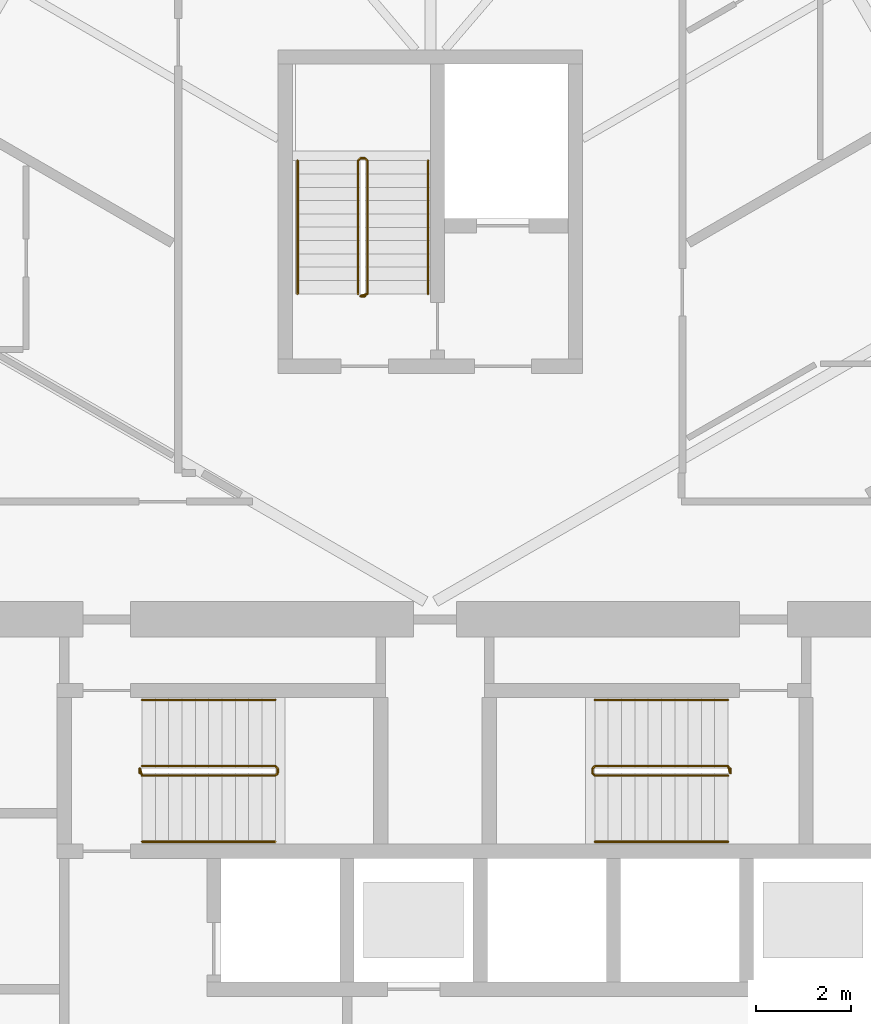
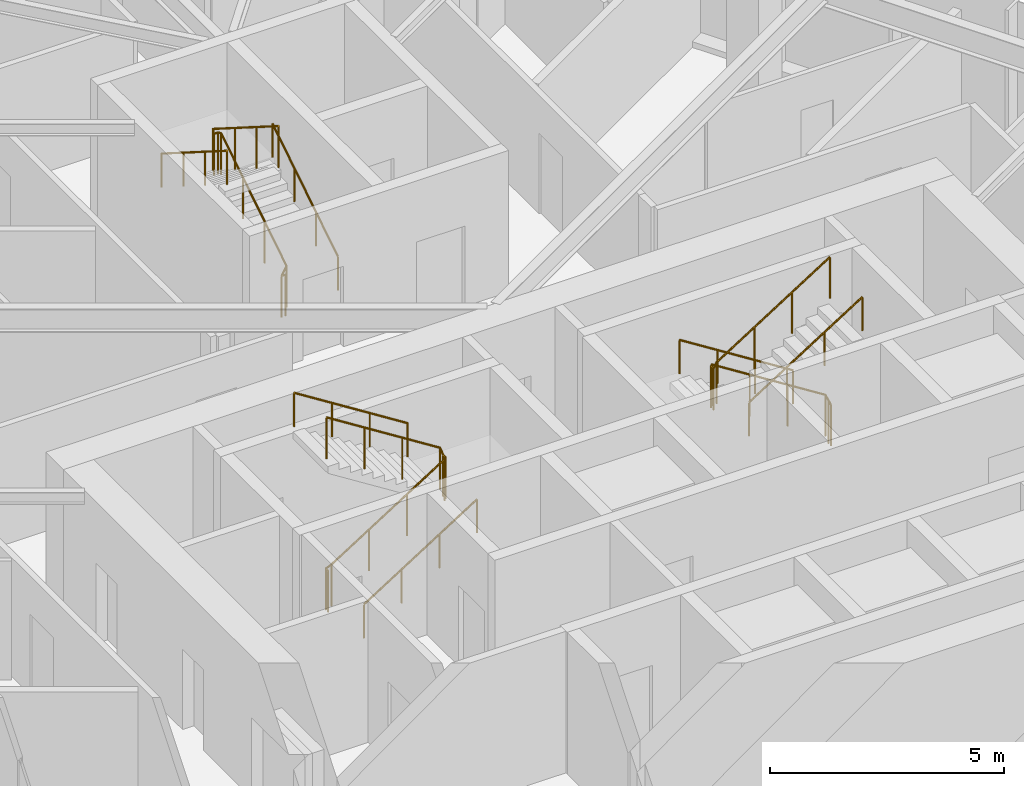
# One storey, part 15 of 16: 9 railings.
"""IFC4 building model written with IfcOpenShell, lengths in metres."""

from ifc_helpers import new_model, si_unit, direction, frame, origin, origin_2d, place, context, subcontext, project, spatial, circle, extrude, material, type_object, element, save


model = new_model("IFC4")

# Units and contexts
model_context = context("Model", 3, precision=1e-05, world=origin(), true_north=direction((0.0, 1.0)))
body_context = subcontext(model_context, "Body", "Model", "MODEL_VIEW")
ifc_project = project(units=[si_unit("LENGTHUNIT", "METRE"), si_unit("AREAUNIT", "SQUARE_METRE"), si_unit("VOLUMEUNIT", "CUBIC_METRE"), si_unit("PLANEANGLEUNIT", "RADIAN"), si_unit("MASSUNIT", "GRAM", prefix="KILO")], contexts=[model_context])

# Site, building, storey
site_placement = place(None, origin())
site = spatial("IfcSite", under=ifc_project, at=site_placement, CompositionType="ELEMENT")
building_placement = place(site_placement, origin())
building = spatial("IfcBuilding", under=site, at=building_placement, Name="Firuza Gate Tower and Library", CompositionType="ELEMENT")
storey_placement = place(building_placement, frame((0.0, 0.0, 198.699951171875)))
storey = spatial("IfcBuildingStorey", under=building, at=storey_placement, Name="L46", CompositionType="ELEMENT", Elevation=198.699951171875)

# Railings
ifc_material_1 = material(Name="Steel S355", Category="steel")
railing_type_1 = type_object("IfcRailingType", Name="Stair guard 1100", PredefinedType="GUARDRAIL", material=ifc_material_1)
railing_1_placement = place(storey_placement, frame((68.889892578125, 79.389892578125, 0.0)))
element("IfcRailing", 1, at=railing_1_placement, inside=storey, type_object=railing_type_1, Name="L46 ST1 stair guard 1", PredefinedType="GUARDRAIL", context=body_context, shape_type="SweptSolid", body=[
    extrude(circle(Radius=0.02392578125, at=origin_2d()), frame((0.0, 0.0, 1.076171875), z_axis=(0.0, 1.0, 0.0), x_axis=(-1.0, 0.0, 0.0)), (0.0, 0.0, 1.0), 0.10009765625),
    extrude(circle(Radius=0.02392578125, at=origin_2d()), frame((0.0, 0.10009765625, 1.076171875), z_axis=(0.210758951027, -0.631248760638, 0.74639511437), x_axis=(0.948528701346, 0.316691178788, 0.0)), (0.0, 0.0, 1.0), 0.237548828125),
    extrude(circle(Radius=0.02392578125, at=origin_2d()), frame((0.050048828125, -0.0498046875, 1.25341796875), z_axis=(0.844908973607, 0.0, 0.534910110503), x_axis=(0.0, 1.0, 0.0)), (0.0, 0.0, 1.0), 3.31396484375),
    extrude(circle(Radius=0.02392578125, at=origin_2d()), frame((2.85009765625, -0.0498046875, 3.02587890625), z_axis=(0.708833529934, 0.705375805398, 0.0), x_axis=(-0.705375805398, 0.708833529934, 0.0)), (0.0, 0.0, 1.0), 0.070556640625),
    extrude(circle(Radius=0.02392578125, at=origin_2d()), frame((2.900146484375, 0.0, 3.02587890625), z_axis=(0.0, 1.0, 0.0), x_axis=(-1.0, 0.0, 0.0)), (0.0, 0.0, 1.0), 0.10009765625),
    extrude(circle(Radius=0.02392578125, at=origin_2d()), frame((2.900146484375, 0.10009765625, 3.02587890625), z_axis=(-0.261922500866, 0.261922500866, 0.928866625022), x_axis=(-0.707106781187, -0.707106781187, 0.0)), (0.0, 0.0, 1.0), 0.191162109375),
    extrude(circle(Radius=0.02392578125, at=origin_2d()), frame((2.85009765625, 0.150146484375, 3.20361328125), z_axis=(-0.844908973607, 0.0, 0.534910110503), x_axis=(0.0, -1.0, 0.0)), (0.0, 0.0, 1.0), 3.31396484375),
    extrude(circle(Radius=0.02099609375, at=origin_2d()), origin(), (0.0, 0.0, 1.0), 1.052001953125),
    extrude(circle(Radius=0.02099609375, at=origin_2d()), frame((0.0, 0.10009765625, 0.0)), (0.0, 0.0, 1.0), 1.052001953125),
    extrude(circle(Radius=0.02099609375, at=origin_2d()), frame((0.050048828125, -0.0498046875, 0.17724609375)), (0.0, 0.0, 1.0), 1.052001953125),
    extrude(circle(Radius=0.02099609375, at=origin_2d()), frame((0.9833984375, -0.0498046875, 0.76806640625)), (0.0, 0.0, 1.0), 1.052001953125),
    extrude(circle(Radius=0.02099609375, at=origin_2d()), frame((1.916748046875, -0.0498046875, 1.359130859375)), (0.0, 0.0, 1.0), 1.052001953125),
    extrude(circle(Radius=0.02099609375, at=origin_2d()), frame((2.85009765625, -0.0498046875, 1.949951171875)), (0.0, 0.0, 1.0), 1.052001953125),
    extrude(circle(Radius=0.02099609375, at=origin_2d()), frame((2.900146484375, 0.0, 1.949951171875)), (0.0, 0.0, 1.0), 1.052001953125),
    extrude(circle(Radius=0.02099609375, at=origin_2d()), frame((2.900146484375, 0.10009765625, 1.949951171875)), (0.0, 0.0, 1.0), 1.052001953125),
    extrude(circle(Radius=0.02099609375, at=origin_2d()), frame((2.85009765625, 0.150146484375, 2.12744140625)), (0.0, 0.0, 1.0), 1.052001953125),
    extrude(circle(Radius=0.02099609375, at=origin_2d()), frame((1.916748046875, 0.150146484375, 2.71826171875)), (0.0, 0.0, 1.0), 1.052001953125),
    extrude(circle(Radius=0.02099609375, at=origin_2d()), frame((0.9833984375, 0.150146484375, 3.309326171875)), (0.0, 0.0, 1.0), 1.052001953125),
    extrude(circle(Radius=0.02099609375, at=origin_2d()), frame((0.050048828125, 0.150146484375, 3.900146484375)), (0.0, 0.0, 1.0), 1.052001953125),
])
railing_2_placement = place(storey_placement, frame((81.31005859375, 79.489990234375, 0.0)))
element("IfcRailing", 2, at=railing_2_placement, inside=storey, type_object=railing_type_1, Name="L46 ST2 stair guard 1", PredefinedType="GUARDRAIL", context=body_context, shape_type="SweptSolid", body=[
    extrude(circle(Radius=0.02392578125, at=origin_2d()), frame((0.0, 0.0, 1.076171875), z_axis=(0.0, -1.0, 0.0), x_axis=(1.0, 0.0, 0.0)), (0.0, 0.0, 1.0), 0.10009765625),
    extrude(circle(Radius=0.02392578125, at=origin_2d()), frame((0.0, -0.10009765625, 1.076171875), z_axis=(-0.210622194084, 0.631866582253, 0.74591079466), x_axis=(-0.948683298051, -0.316227766017, 0.0)), (0.0, 0.0, 1.0), 0.237548828125),
    extrude(circle(Radius=0.02392578125, at=origin_2d()), frame((-0.050048828125, 0.050048828125, 1.25341796875), z_axis=(-0.844908973607, 0.0, 0.534910110503), x_axis=(0.0, -1.0, 0.0)), (0.0, 0.0, 1.0), 3.31396484375),
    extrude(circle(Radius=0.02392578125, at=origin_2d()), frame((-2.85009765625, 0.050048828125, 3.02587890625), z_axis=(-0.707106781187, -0.707106781187, 0.0), x_axis=(0.707106781187, -0.707106781187, 0.0)), (0.0, 0.0, 1.0), 0.07080078125),
    extrude(circle(Radius=0.02392578125, at=origin_2d()), frame((-2.900146484375, 0.0, 3.02587890625), z_axis=(0.0, -1.0, 0.0), x_axis=(1.0, 0.0, 0.0)), (0.0, 0.0, 1.0), 0.10009765625),
    extrude(circle(Radius=0.02392578125, at=origin_2d()), frame((-2.900146484375, -0.10009765625, 3.02587890625), z_axis=(0.262009983441, -0.260731885961, 0.929176868105), x_axis=(0.705375805398, 0.708833529934, 0.0)), (0.0, 0.0, 1.0), 0.19091796875),
    extrude(circle(Radius=0.02392578125, at=origin_2d()), frame((-2.85009765625, -0.14990234375, 3.20361328125), z_axis=(0.844908973607, 0.0, 0.534910110503), x_axis=(0.0, 1.0, 0.0)), (0.0, 0.0, 1.0), 3.31396484375),
    extrude(circle(Radius=0.02099609375, at=origin_2d()), origin(), (0.0, 0.0, 1.0), 1.052001953125),
    extrude(circle(Radius=0.02099609375, at=origin_2d()), frame((0.0, -0.10009765625, 0.0)), (0.0, 0.0, 1.0), 1.052001953125),
    extrude(circle(Radius=0.02099609375, at=origin_2d()), frame((-0.050048828125, 0.050048828125, 0.17724609375)), (0.0, 0.0, 1.0), 1.052001953125),
    extrude(circle(Radius=0.02099609375, at=origin_2d()), frame((-0.9833984375, 0.050048828125, 0.76806640625)), (0.0, 0.0, 1.0), 1.052001953125),
    extrude(circle(Radius=0.02099609375, at=origin_2d()), frame((-1.916748046875, 0.050048828125, 1.359130859375)), (0.0, 0.0, 1.0), 1.052001953125),
    extrude(circle(Radius=0.02099609375, at=origin_2d()), frame((-2.85009765625, 0.050048828125, 1.949951171875)), (0.0, 0.0, 1.0), 1.052001953125),
    extrude(circle(Radius=0.02099609375, at=origin_2d()), frame((-2.900146484375, 0.0, 1.949951171875)), (0.0, 0.0, 1.0), 1.052001953125),
    extrude(circle(Radius=0.02099609375, at=origin_2d()), frame((-2.900146484375, -0.10009765625, 1.949951171875)), (0.0, 0.0, 1.0), 1.052001953125),
    extrude(circle(Radius=0.02099609375, at=origin_2d()), frame((-2.85009765625, -0.14990234375, 2.12744140625)), (0.0, 0.0, 1.0), 1.052001953125),
    extrude(circle(Radius=0.02099609375, at=origin_2d()), frame((-1.916748046875, -0.14990234375, 2.71826171875)), (0.0, 0.0, 1.0), 1.052001953125),
    extrude(circle(Radius=0.02099609375, at=origin_2d()), frame((-0.9833984375, -0.14990234375, 3.309326171875)), (0.0, 0.0, 1.0), 1.052001953125),
    extrude(circle(Radius=0.02099609375, at=origin_2d()), frame((-0.050048828125, -0.14990234375, 3.900146484375)), (0.0, 0.0, 1.0), 1.052001953125),
])
railing_3_placement = place(storey_placement, frame((73.6298828125, 89.419921875, 0.0)))
element("IfcRailing", 3, at=railing_3_placement, inside=storey, type_object=railing_type_1, Name="L46 ST3 stair guard 1", PredefinedType="GUARDRAIL", context=body_context, shape_type="SweptSolid", body=[
    extrude(circle(Radius=0.02392578125, at=origin_2d()), frame((0.0, 0.0, 1.076171875), z_axis=(-1.0, 0.0, 0.0), x_axis=(0.0, -1.0, 0.0)), (0.0, 0.0, 1.0), 0.099853515625),
    extrude(circle(Radius=0.02392578125, at=origin_2d()), frame((-0.099853515625, 0.0, 1.076171875), z_axis=(0.631248760638, 0.210758951027, 0.74639511437), x_axis=(-0.316691178788, 0.948528701346, 0.0)), (0.0, 0.0, 1.0), 0.237548828125),
    extrude(circle(Radius=0.02392578125, at=origin_2d()), frame((0.050048828125, 0.050048828125, 1.25341796875), z_axis=(0.0, 0.844908973607, 0.534910110503), x_axis=(-1.0, 0.0, 0.0)), (0.0, 0.0, 1.0), 3.31396484375),
    extrude(circle(Radius=0.02392578125, at=origin_2d()), frame((0.050048828125, 2.85009765625, 3.02587890625), z_axis=(-0.707106781187, 0.707106781187, 0.0), x_axis=(-0.707106781187, -0.707106781187, 0.0)), (0.0, 0.0, 1.0), 0.07080078125),
    extrude(circle(Radius=0.02392578125, at=origin_2d()), frame((0.0, 2.900146484375, 3.02587890625), z_axis=(-1.0, 0.0, 0.0), x_axis=(0.0, -1.0, 0.0)), (0.0, 0.0, 1.0), 0.099853515625),
    extrude(circle(Radius=0.02392578125, at=origin_2d()), frame((-0.099853515625, 2.900146484375, 3.02587890625), z_axis=(-0.261922500866, -0.261922500866, 0.928866625022), x_axis=(0.707106781187, -0.707106781187, 0.0)), (0.0, 0.0, 1.0), 0.191162109375),
    extrude(circle(Radius=0.02392578125, at=origin_2d()), frame((-0.14990234375, 2.85009765625, 3.20361328125), z_axis=(0.0, -0.844908973607, 0.534910110503), x_axis=(1.0, 0.0, 0.0)), (0.0, 0.0, 1.0), 3.31396484375),
    extrude(circle(Radius=0.02099609375, at=origin_2d()), origin(), (0.0, 0.0, 1.0), 1.052001953125),
    extrude(circle(Radius=0.02099609375, at=origin_2d()), frame((-0.099853515625, 0.0, 0.0)), (0.0, 0.0, 1.0), 1.052001953125),
    extrude(circle(Radius=0.02099609375, at=origin_2d()), frame((0.050048828125, 0.050048828125, 0.17724609375)), (0.0, 0.0, 1.0), 1.052001953125),
    extrude(circle(Radius=0.02099609375, at=origin_2d()), frame((0.050048828125, 0.9833984375, 0.76806640625)), (0.0, 0.0, 1.0), 1.052001953125),
    extrude(circle(Radius=0.02099609375, at=origin_2d()), frame((0.050048828125, 1.916748046875, 1.359130859375)), (0.0, 0.0, 1.0), 1.052001953125),
    extrude(circle(Radius=0.02099609375, at=origin_2d()), frame((0.050048828125, 2.85009765625, 1.949951171875)), (0.0, 0.0, 1.0), 1.052001953125),
    extrude(circle(Radius=0.02099609375, at=origin_2d()), frame((0.0, 2.900146484375, 1.949951171875)), (0.0, 0.0, 1.0), 1.052001953125),
    extrude(circle(Radius=0.02099609375, at=origin_2d()), frame((-0.099853515625, 2.900146484375, 1.949951171875)), (0.0, 0.0, 1.0), 1.052001953125),
    extrude(circle(Radius=0.02099609375, at=origin_2d()), frame((-0.14990234375, 2.85009765625, 2.12744140625)), (0.0, 0.0, 1.0), 1.052001953125),
    extrude(circle(Radius=0.02099609375, at=origin_2d()), frame((-0.14990234375, 1.916748046875, 2.71826171875)), (0.0, 0.0, 1.0), 1.052001953125),
    extrude(circle(Radius=0.02099609375, at=origin_2d()), frame((-0.14990234375, 0.9833984375, 3.309326171875)), (0.0, 0.0, 1.0), 1.052001953125),
    extrude(circle(Radius=0.02099609375, at=origin_2d()), frame((-0.14990234375, 0.050048828125, 3.900146484375)), (0.0, 0.0, 1.0), 1.052001953125),
])
ifc_material_2 = material(Name="Steel S355", Category="steel")
railing_type_2 = type_object("IfcRailingType", Name="Stair handrail 900", PredefinedType="HANDRAIL", material=ifc_material_2)
railing_4_placement = place(storey_placement, frame((68.93994140625, 77.949951171875, 0.17724609375)))
element("IfcRailing", 4, at=railing_4_placement, inside=storey, type_object=railing_type_2, Name="L46 ST1 stair handrail 1", PredefinedType="HANDRAIL", context=body_context, shape_type="SweptSolid", body=[
    extrude(circle(Radius=0.02392578125, at=origin_2d()), frame((0.0, 0.0, 0.8759765625), z_axis=(0.844908973607, 0.0, 0.534910110503), x_axis=(0.0, 1.0, 0.0)), (0.0, 0.0, 1.0), 3.31396484375),
    extrude(circle(Radius=0.02099609375, at=origin_2d()), origin(), (0.0, 0.0, 1.0), 0.851806640625),
    extrude(circle(Radius=0.02099609375, at=origin_2d()), frame((0.933349609375, 0.0, 0.5908203125)), (0.0, 0.0, 1.0), 0.851806640625),
    extrude(circle(Radius=0.02099609375, at=origin_2d()), frame((1.86669921875, 0.0, 1.181884765625)), (0.0, 0.0, 1.0), 0.851806640625),
    extrude(circle(Radius=0.02099609375, at=origin_2d()), frame((2.800048828125, 0.0, 1.772705078125)), (0.0, 0.0, 1.0), 0.851806640625),
])
for number, where, name in (
    (5, (71.739990234375, 80.929931640625, 2.12744140625), "L46 ST1 stair handrail 2"),
    (6, (81.260009765625, 80.929931640625, 0.17724609375), "L46 ST2 stair handrail 1"),
):
    element("IfcRailing", number, at=place(storey_placement, frame(where)), inside=storey, type_object=railing_type_2, Name=name, PredefinedType="HANDRAIL", context=body_context, shape_type="SweptSolid", body=[
        extrude(circle(Radius=0.02392578125, at=origin_2d()), frame((0.0, 0.0, 0.8759765625), z_axis=(-0.844908973607, 0.0, 0.534910110503), x_axis=(0.0, -1.0, 0.0)), (0.0, 0.0, 1.0), 3.31396484375),
        extrude(circle(Radius=0.02099609375, at=origin_2d()), origin(), (0.0, 0.0, 1.0), 0.851806640625),
        extrude(circle(Radius=0.02099609375, at=origin_2d()), frame((-0.933349609375, 0.0, 0.5908203125)), (0.0, 0.0, 1.0), 0.851806640625),
        extrude(circle(Radius=0.02099609375, at=origin_2d()), frame((-1.86669921875, 0.0, 1.181884765625)), (0.0, 0.0, 1.0), 0.851806640625),
        extrude(circle(Radius=0.02099609375, at=origin_2d()), frame((-2.800048828125, 0.0, 1.772705078125)), (0.0, 0.0, 1.0), 0.851806640625),
    ])
railing_5_placement = place(storey_placement, frame((78.4599609375, 77.949951171875, 2.12744140625)))
element("IfcRailing", 7, at=railing_5_placement, inside=storey, type_object=railing_type_2, Name="L46 ST2 stair handrail 2", PredefinedType="HANDRAIL", context=body_context, shape_type="SweptSolid", body=[
    extrude(circle(Radius=0.02392578125, at=origin_2d()), frame((0.0, 0.0, 0.8759765625), z_axis=(0.844908973607, 0.0, 0.534910110503), x_axis=(0.0, 1.0, 0.0)), (0.0, 0.0, 1.0), 3.31396484375),
    extrude(circle(Radius=0.02099609375, at=origin_2d()), origin(), (0.0, 0.0, 1.0), 0.851806640625),
    extrude(circle(Radius=0.02099609375, at=origin_2d()), frame((0.933349609375, 0.0, 0.5908203125)), (0.0, 0.0, 1.0), 0.851806640625),
    extrude(circle(Radius=0.02099609375, at=origin_2d()), frame((1.86669921875, 0.0, 1.181884765625)), (0.0, 0.0, 1.0), 0.851806640625),
    extrude(circle(Radius=0.02099609375, at=origin_2d()), frame((2.800048828125, 0.0, 1.772705078125)), (0.0, 0.0, 1.0), 0.851806640625),
])
railing_6_placement = place(storey_placement, frame((74.949951171875, 89.469970703125, 0.17724609375)))
element("IfcRailing", 8, at=railing_6_placement, inside=storey, type_object=railing_type_2, Name="L46 ST3 stair handrail 1", PredefinedType="HANDRAIL", context=body_context, shape_type="SweptSolid", body=[
    extrude(circle(Radius=0.02392578125, at=origin_2d()), frame((0.0, 0.0, 0.8759765625), z_axis=(0.0, 0.844908973607, 0.534910110503), x_axis=(-1.0, 0.0, 0.0)), (0.0, 0.0, 1.0), 3.31396484375),
    extrude(circle(Radius=0.02099609375, at=origin_2d()), origin(), (0.0, 0.0, 1.0), 0.851806640625),
    extrude(circle(Radius=0.02099609375, at=origin_2d()), frame((0.0, 0.933349609375, 0.5908203125)), (0.0, 0.0, 1.0), 0.851806640625),
    extrude(circle(Radius=0.02099609375, at=origin_2d()), frame((0.0, 1.86669921875, 1.181884765625)), (0.0, 0.0, 1.0), 0.851806640625),
    extrude(circle(Radius=0.02099609375, at=origin_2d()), frame((0.0, 2.800048828125, 1.772705078125)), (0.0, 0.0, 1.0), 0.851806640625),
])
railing_7_placement = place(storey_placement, frame((72.2099609375, 92.27001953125, 2.12744140625)))
element("IfcRailing", 9, at=railing_7_placement, inside=storey, type_object=railing_type_2, Name="L46 ST3 stair handrail 2", PredefinedType="HANDRAIL", context=body_context, shape_type="SweptSolid", body=[
    extrude(circle(Radius=0.02392578125, at=origin_2d()), frame((0.0, 0.0, 0.8759765625), z_axis=(0.0, -0.844908973607, 0.534910110503), x_axis=(1.0, 0.0, 0.0)), (0.0, 0.0, 1.0), 3.31396484375),
    extrude(circle(Radius=0.02099609375, at=origin_2d()), origin(), (0.0, 0.0, 1.0), 0.851806640625),
    extrude(circle(Radius=0.02099609375, at=origin_2d()), frame((0.0, -0.933349609375, 0.5908203125)), (0.0, 0.0, 1.0), 0.851806640625),
    extrude(circle(Radius=0.02099609375, at=origin_2d()), frame((0.0, -1.86669921875, 1.181884765625)), (0.0, 0.0, 1.0), 0.851806640625),
    extrude(circle(Radius=0.02099609375, at=origin_2d()), frame((0.0, -2.800048828125, 1.772705078125)), (0.0, 0.0, 1.0), 0.851806640625),
])

save(model, "model.ifc")
